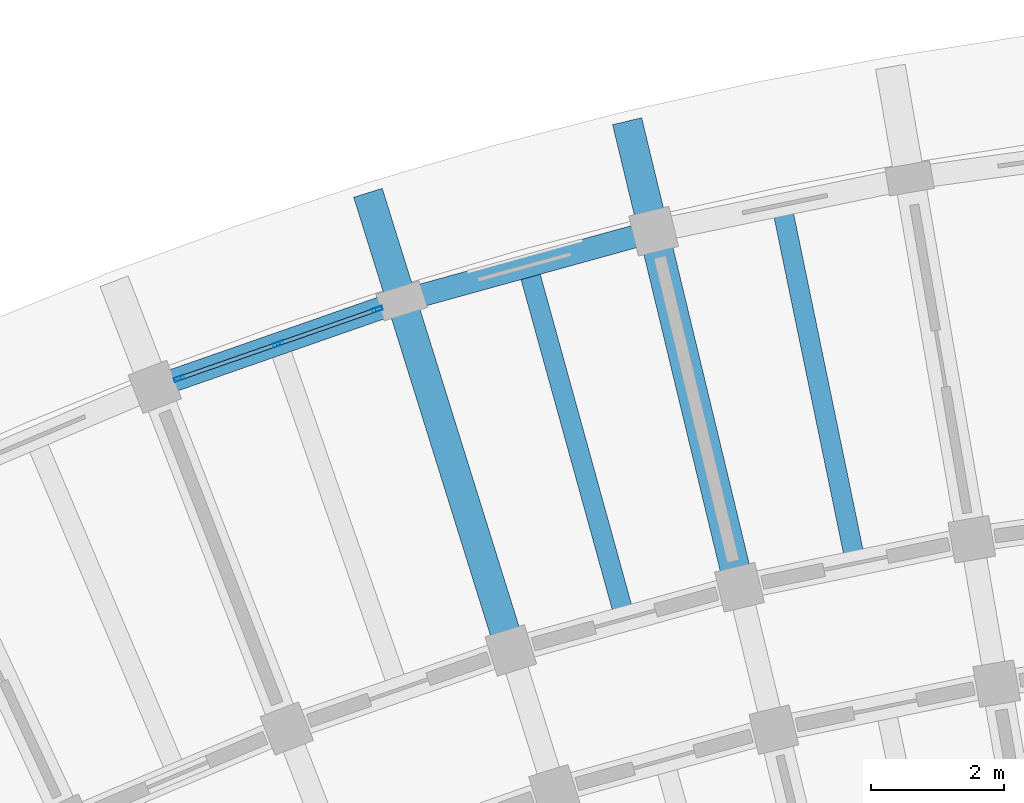
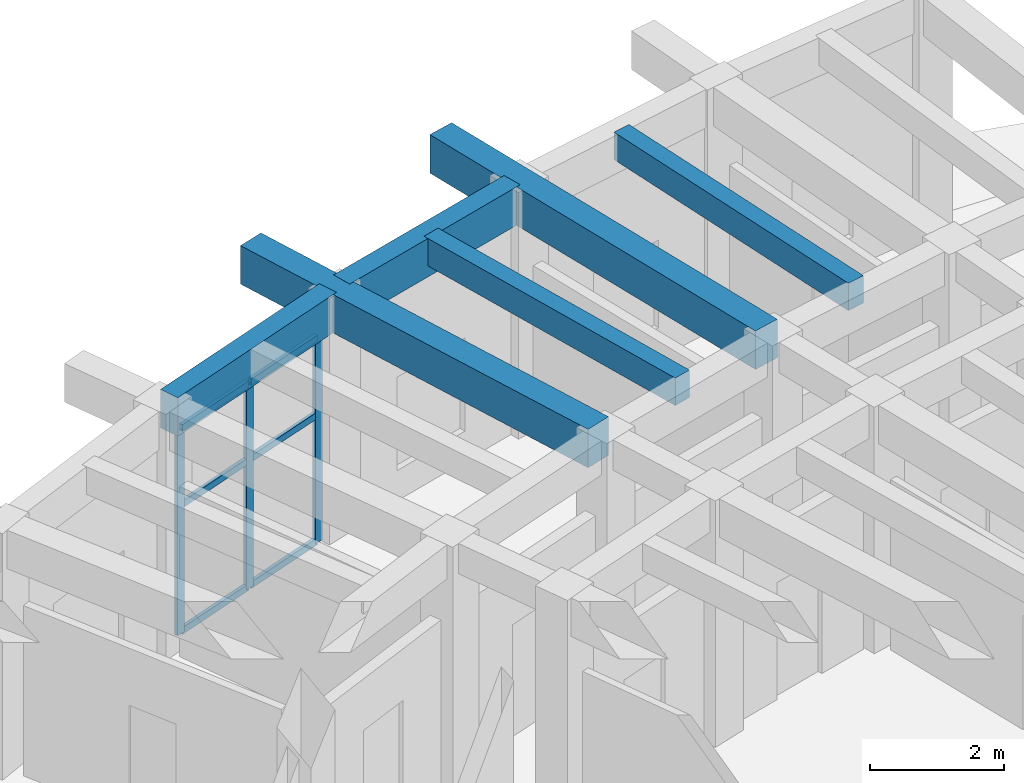
# One storey, part 41 of 132: 9 members, 6 beams, 1 element without a shape of its own.
"""IFC4 building model written with IfcOpenShell, lengths in metres."""

from ifc_helpers import new_model, si_unit, direction, frame, origin, origin_2d, place, context, subcontext, project, spatial, rectangle, hollow_rectangle, extrude, material, material_profile, profile_set, type_object, element, aggregate, save


model = new_model("IFC4")

# Units and contexts
model_context = context("Model", 3, precision=1e-05, world=origin(), true_north=direction((0.0, 1.0)))
body_context = subcontext(model_context, "Body", "Model", "MODEL_VIEW")
ifc_project = project(units=[si_unit("LENGTHUNIT", "METRE"), si_unit("AREAUNIT", "SQUARE_METRE"), si_unit("VOLUMEUNIT", "CUBIC_METRE"), si_unit("PLANEANGLEUNIT", "RADIAN"), si_unit("MASSUNIT", "GRAM", prefix="KILO")], contexts=[model_context])

# Site, building, storey
site_placement = place(None, origin())
site = spatial("IfcSite", under=ifc_project, at=site_placement, CompositionType="ELEMENT")
building_placement = place(site_placement, origin())
building = spatial("IfcBuilding", under=site, at=building_placement, Name="Tanwirah Colonnade Gardens", CompositionType="ELEMENT")
storey_placement = place(building_placement, origin())
storey = spatial("IfcBuildingStorey", under=building, at=storey_placement, Name="L00", CompositionType="ELEMENT", Elevation=0.0)

# Beams
ifc_material_1 = material(Name="Precast concrete C45/55", Category="concrete")
ifc_material_profile_1 = material_profile(ifc_material_1, rectangle(XDim=0.449951171875, YDim=0.699951171875, at=origin_2d()), Name="PC-BM 450x700")
ifc_profile_set_1 = profile_set([ifc_material_profile_1], Name="Precast concrete C45/55")
beam_type_1 = type_object("IfcBeamType", Name="BM-PC450", PredefinedType="BEAM", material=ifc_profile_set_1)
beam_1_placement = place(storey_placement, frame((52.296142578125, 112.89013671875, 4.135009765625), z_axis=(-0.234378734126, 0.972145364125, 0.0), x_axis=(-0.972145364125, -0.234378734126, 0.0)))
element("IfcBeam", 1, at=beam_1_placement, inside=storey, type_object=beam_type_1, Name="Block A L00 Outer Radial Precast Girder 2", PredefinedType="BEAM", context=body_context, shape_type="SweptSolid", body=[
    extrude(rectangle(XDim=0.449951171875, YDim=0.699951171875, at=origin_2d()), origin(), (0.0, 0.0, 1.0), 7.0498046875),
])
beam_2_placement = place(storey_placement, frame((48.852294921875, 111.938720703125, 4.135009765625), z_axis=(-0.297957513373, 0.954579132511, 0.0), x_axis=(-0.954579132511, -0.297957513373, 0.0)))
element("IfcBeam", 2, at=beam_2_placement, inside=storey, type_object=beam_type_1, Name="Block A L00 Outer Radial Precast Girder 3", PredefinedType="BEAM", context=body_context, shape_type="SweptSolid", body=[
    extrude(rectangle(XDim=0.449951171875, YDim=0.699951171875, at=origin_2d()), origin(), (0.0, 0.0, 1.0), 7.050048828125),
])

# Curtain wall, members
ifc_material_2 = material(Name="Bronze-anodised aluminium and solar-control low-E glass", Category="aluminium")
curtain_wall_type = type_object("IfcCurtainWallType", Name="CW-LOB", PredefinedType="NOTDEFINED", material=ifc_material_2)
curtain_wall_placement = place(storey_placement, origin())
curtain_wall = element("IfcCurtainWall", 3, at=curtain_wall_placement, inside=storey, type_object=curtain_wall_type, Name="Curtain Wall CW-A-L00-OUT-03", PredefinedType="NOTDEFINED")
ifc_material_3 = material(Name="Bronze-anodised aluminium", Category="aluminium")
ifc_material_profile_2 = material_profile(ifc_material_3, hollow_rectangle(XDim=0.06005859375, YDim=0.159912109375, WallThickness=0.00390625, at=origin_2d()), Name="CW-MUL 60x160x4")
ifc_profile_set_2 = profile_set([ifc_material_profile_2], Name="Bronze-anodised aluminium")
member_type_1 = type_object("IfcMemberType", Name="CWM-60x160", PredefinedType="MULLION", material=ifc_profile_set_2)
member_1_placement = place(storey_placement, frame((46.889892578125, 116.917236328125, 0.0), z_axis=(0.0, 0.0, 1.0), x_axis=(0.329233165694, -0.944248655073, 0.0)))
member_1 = element("IfcMember", 4, at=member_1_placement, type_object=member_type_1, Name="CW-LOB mullion 1", PredefinedType="MULLION", context=body_context, shape_type="SweptSolid", body=[
    extrude(hollow_rectangle(XDim=0.06005859375, YDim=0.159912109375, WallThickness=0.00390625, at=origin_2d()), origin(), (0.0, 0.0, 1.0), 3.7548828125),
])
member_2_placement = place(storey_placement, frame((45.40478515625, 116.3994140625, 0.0), z_axis=(0.0, 0.0, 1.0), x_axis=(0.329233165694, -0.944248655073, 0.0)))
member_2 = element("IfcMember", 5, at=member_2_placement, type_object=member_type_1, Name="CW-LOB mullion 2", PredefinedType="MULLION", context=body_context, shape_type="SweptSolid", body=[
    extrude(hollow_rectangle(XDim=0.06005859375, YDim=0.159912109375, WallThickness=0.00390625, at=origin_2d()), origin(), (0.0, 0.0, 1.0), 3.7548828125),
])
member_3_placement = place(storey_placement, frame((43.919677734375, 115.881591796875, 0.0), z_axis=(0.0, 0.0, 1.0), x_axis=(0.329233165694, -0.944248655073, 0.0)))
member_3 = element("IfcMember", 6, at=member_3_placement, type_object=member_type_1, Name="CW-LOB mullion 3", PredefinedType="MULLION", context=body_context, shape_type="SweptSolid", body=[
    extrude(hollow_rectangle(XDim=0.06005859375, YDim=0.159912109375, WallThickness=0.00390625, at=origin_2d()), origin(), (0.0, 0.0, 1.0), 3.7548828125),
])
ifc_material_profile_3 = material_profile(ifc_material_3, hollow_rectangle(XDim=0.06005859375, YDim=0.1201171875, WallThickness=0.00390625, at=origin_2d()), Name="CW-TRN 60x120x4")
ifc_profile_set_3 = profile_set([ifc_material_profile_3], Name="Bronze-anodised aluminium")
member_type_2 = type_object("IfcMemberType", Name="CWT-60x120", PredefinedType="USERDEFINED", material=ifc_profile_set_3)
member_4_placement = place(storey_placement, frame((46.861572265625, 116.907470703125, 0.030029296875), z_axis=(-0.94425269288, -0.329221584938, 0.0), x_axis=(0.329221584938, -0.94425269288, 0.0)))
member_4 = element("IfcMember", 7, at=member_4_placement, type_object=member_type_2, Name="CW-LOB transom 1.1", ObjectType="TRANSOM", PredefinedType="USERDEFINED", context=body_context, shape_type="SweptSolid", body=[
    extrude(hollow_rectangle(XDim=0.06005859375, YDim=0.1201171875, WallThickness=0.00390625, at=origin_2d()), origin(), (0.0, 0.0, 1.0), 1.5126953125),
])
member_5_placement = place(storey_placement, frame((46.861572265625, 116.907470703125, 2.328125), z_axis=(-0.94425269288, -0.329221584938, 0.0), x_axis=(0.329221584938, -0.94425269288, 0.0)))
member_5 = element("IfcMember", 8, at=member_5_placement, type_object=member_type_2, Name="CW-LOB transom 1.2", ObjectType="TRANSOM", PredefinedType="USERDEFINED", context=body_context, shape_type="SweptSolid", body=[
    extrude(hollow_rectangle(XDim=0.06005859375, YDim=0.1201171875, WallThickness=0.00390625, at=origin_2d()), origin(), (0.0, 0.0, 1.0), 1.5126953125),
])
member_6_placement = place(storey_placement, frame((46.861572265625, 116.907470703125, 3.72509765625), z_axis=(-0.94425269288, -0.329221584938, 0.0), x_axis=(0.329221584938, -0.94425269288, 0.0)))
member_6 = element("IfcMember", 9, at=member_6_placement, type_object=member_type_2, Name="CW-LOB transom 1.3", ObjectType="TRANSOM", PredefinedType="USERDEFINED", context=body_context, shape_type="SweptSolid", body=[
    extrude(hollow_rectangle(XDim=0.06005859375, YDim=0.1201171875, WallThickness=0.00390625, at=origin_2d()), origin(), (0.0, 0.0, 1.0), 1.5126953125),
])
member_7_placement = place(storey_placement, frame((45.37646484375, 116.3896484375, 0.030029296875), z_axis=(-0.94425269288, -0.329221584938, 0.0), x_axis=(0.329221584938, -0.94425269288, 0.0)))
member_7 = element("IfcMember", 10, at=member_7_placement, type_object=member_type_2, Name="CW-LOB transom 2.1", ObjectType="TRANSOM", PredefinedType="USERDEFINED", context=body_context, shape_type="SweptSolid", body=[
    extrude(hollow_rectangle(XDim=0.06005859375, YDim=0.1201171875, WallThickness=0.00390625, at=origin_2d()), origin(), (0.0, 0.0, 1.0), 1.5126953125),
])
member_8_placement = place(storey_placement, frame((45.37646484375, 116.3896484375, 2.328125), z_axis=(-0.94425269288, -0.329221584938, 0.0), x_axis=(0.329221584938, -0.94425269288, 0.0)))
member_8 = element("IfcMember", 11, at=member_8_placement, type_object=member_type_2, Name="CW-LOB transom 2.2", ObjectType="TRANSOM", PredefinedType="USERDEFINED", context=body_context, shape_type="SweptSolid", body=[
    extrude(hollow_rectangle(XDim=0.06005859375, YDim=0.1201171875, WallThickness=0.00390625, at=origin_2d()), origin(), (0.0, 0.0, 1.0), 1.5126953125),
])
member_9_placement = place(storey_placement, frame((45.37646484375, 116.3896484375, 3.72509765625), z_axis=(-0.94425269288, -0.329221584938, 0.0), x_axis=(0.329221584938, -0.94425269288, 0.0)))
member_9 = element("IfcMember", 12, at=member_9_placement, type_object=member_type_2, Name="CW-LOB transom 2.3", ObjectType="TRANSOM", PredefinedType="USERDEFINED", context=body_context, shape_type="SweptSolid", body=[
    extrude(hollow_rectangle(XDim=0.06005859375, YDim=0.1201171875, WallThickness=0.00390625, at=origin_2d()), origin(), (0.0, 0.0, 1.0), 1.5126953125),
])
aggregate(curtain_wall, [member_1, member_2, member_3, member_4, member_5, member_6, member_7, member_8, member_9])

# Beams
ifc_material_4 = material(Name="Precast concrete C40/50", Category="concrete")
ifc_material_profile_4 = material_profile(ifc_material_4, rectangle(XDim=0.300048828125, YDim=0.5, at=origin_2d()), Name="PC-JST 300x500")
ifc_profile_set_4 = profile_set([ifc_material_profile_4], Name="Precast concrete C40/50")
beam_type_2 = type_object("IfcBeamType", Name="JST-PC300", PredefinedType="JOIST", material=ifc_profile_set_4)
beam_3_placement = place(storey_placement, frame((54.0458984375, 113.2509765625, 4.235107421875), z_axis=(-0.202235688429, 0.979336880918, 0.0), x_axis=(-0.979336880918, -0.202235688429, 0.0)))
element("IfcBeam", 13, at=beam_3_placement, inside=storey, type_object=beam_type_2, Name="Block A L00 Precast Floor Joist 1", PredefinedType="JOIST", context=body_context, shape_type="SweptSolid", body=[
    extrude(rectangle(XDim=0.300048828125, YDim=0.5, at=origin_2d()), origin(), (0.0, 0.0, 1.0), 5.259765625),
])
beam_4_placement = place(storey_placement, frame((50.57421875, 112.413818359375, 4.235107421875), z_axis=(-0.266281476085, 0.963895313555, 0.0), x_axis=(-0.963895313555, -0.266281476085, 0.0)))
element("IfcBeam", 14, at=beam_4_placement, inside=storey, type_object=beam_type_2, Name="Block A L00 Precast Floor Joist 2", PredefinedType="JOIST", context=body_context, shape_type="SweptSolid", body=[
    extrude(rectangle(XDim=0.300048828125, YDim=0.5, at=origin_2d()), origin(), (0.0, 0.0, 1.0), 5.260009765625),
])
ifc_material_profile_5 = material_profile(ifc_material_1, rectangle(XDim=0.340087890625, YDim=0.699951171875, at=origin_2d()), Name="PC-SP 340x700")
ifc_profile_set_5 = profile_set([ifc_material_profile_5], Name="Precast concrete C45/55")
beam_type_3 = type_object("IfcBeamType", Name="SP-PC340", PredefinedType="SPANDREL", material=ifc_profile_set_5)
for number, where, z_axis, x_axis, name in (
    (15, (50.897705078125, 118.05126953125, 4.135009765625), (-0.963888380927, -0.266306569792, 0.0), (0.266306569792, -0.963888380927, 0.0), "Block A L00 Circumferential Beam 2-R3"),
    (16, (47.11669921875, 116.996337890625, 4.135009765625), (-0.944236700093, -0.329267450863, 0.0), (0.329267450863, -0.944236700093, 0.0), "Block A L00 Circumferential Beam 3-R3"),
):
    element("IfcBeam", number, at=place(storey_placement, frame(where, z_axis=z_axis, x_axis=x_axis)), inside=storey, type_object=beam_type_3, Name=name, PredefinedType="SPANDREL", context=body_context, shape_type="SweptSolid", body=[
        extrude(rectangle(XDim=0.340087890625, YDim=0.699951171875, at=origin_2d()), origin(), (0.0, 0.0, 1.0), 3.625732421875),
    ])

save(model, "model.ifc")
